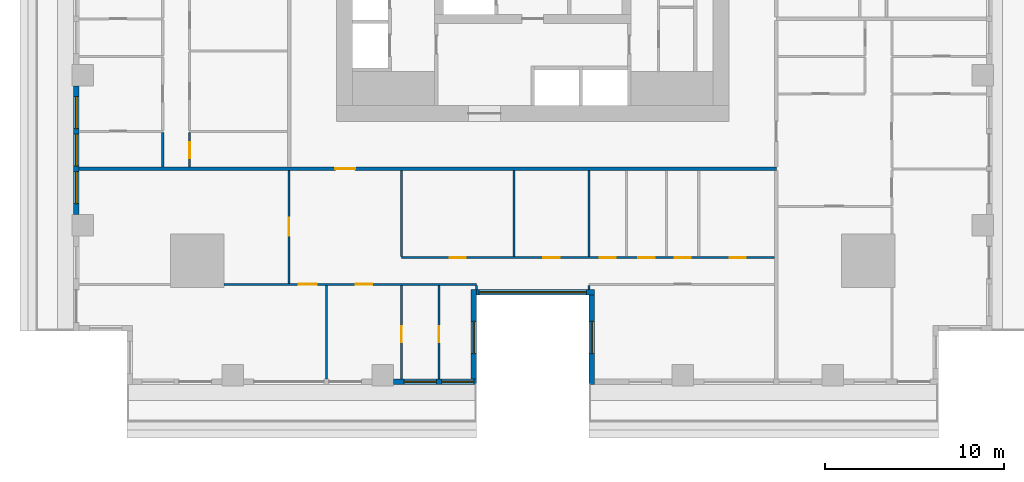
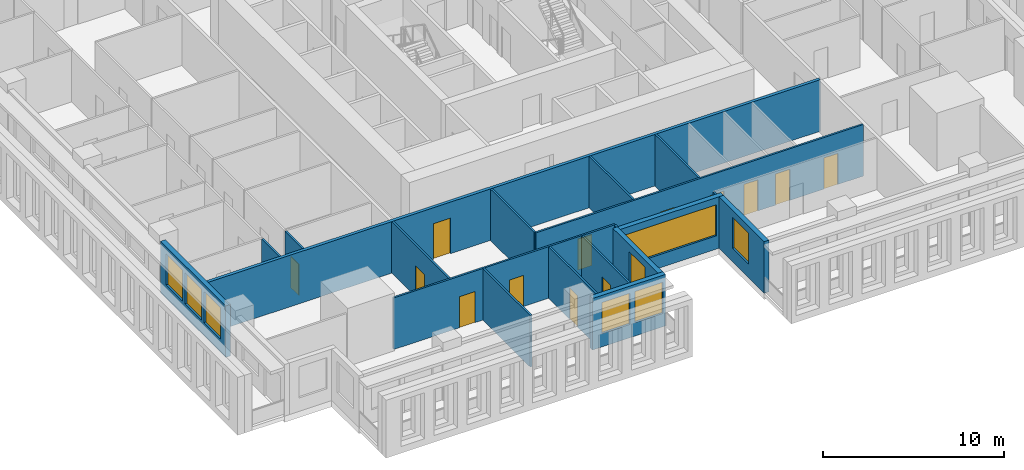
# One storey, part 2 of 15: 19 walls, 13 doors, 8 windows, 21 openings.
"""IFC4 building model written with IfcOpenShell, lengths in metres."""

from ifc_helpers import new_model, si_unit, direction, frame, frame_2d, origin, place, context, subcontext, project, spatial, rectangle, extrude, material, layer, layer_set, type_object, element, fill, save


model = new_model("IFC4")

# Units and contexts
model_context = context("Model", 3, precision=1e-05, world=origin(), true_north=direction((0.0, 1.0)))
body_context = subcontext(model_context, "Body", "Model", "MODEL_VIEW")
ifc_project = project(units=[si_unit("LENGTHUNIT", "METRE"), si_unit("AREAUNIT", "SQUARE_METRE"), si_unit("VOLUMEUNIT", "CUBIC_METRE"), si_unit("PLANEANGLEUNIT", "RADIAN"), si_unit("MASSUNIT", "GRAM", prefix="KILO")], contexts=[model_context])

# Site, building, storey
site_placement = place(None, origin())
site = spatial("IfcSite", under=ifc_project, at=site_placement, CompositionType="ELEMENT")
building_placement = place(site_placement, origin())
building = spatial("IfcBuilding", under=site, at=building_placement, Name="Khepri Terraces", CompositionType="ELEMENT")
storey_placement = place(building_placement, frame((0.0, 0.0, 30.89990234375)))
storey = spatial("IfcBuildingStorey", under=building, at=storey_placement, Name="L06", CompositionType="ELEMENT", Elevation=30.89990234375)

# Wall, opening, door
ifc_material_1 = material(Name="Fire-rated gypsum plasterboard partition, mineral wool")
ifc_layer_1 = layer(ifc_material_1, 0.199951171875, Name="Fire-rated gypsum plasterboard partition, mineral wool")
ifc_layer_set_1 = layer_set([ifc_layer_1], Name="Fire-rated gypsum plasterboard partition, mineral wool")
wall_type_1 = type_object("IfcWallType", Name="WL-CORR-200", PredefinedType="PARTITIONING", material=ifc_layer_set_1)
wall_1_placement = place(storey_placement, frame((-25.419921875, -13.64990234375, 0.0), z_axis=(0.0, 0.0, 1.0), x_axis=(1.0, 0.0, 0.0)))
wall_1 = element("IfcWall", 1, at=wall_1_placement, inside=storey, type_object=wall_type_1, Name="Partition P-022 L06", PredefinedType="PARTITIONING", context=body_context, shape_type="SweptSolid", body=[
    extrude(rectangle(XDim=39.06982421875, YDim=0.199951171875, at=frame_2d((19.534912109375, 0.0))), origin(), (0.0, 0.0, 1.0), 3.47998046875),
])
opening_1_placement = place(wall_1_placement, frame((14.3701171875, 0.0, 0.0)))
opening_1 = element("IfcOpeningElement", 2, at=opening_1_placement, cuts=wall_1, Name="Opening D1", PredefinedType="OPENING", context=body_context, shape_type="SweptSolid", body=[
    extrude(rectangle(XDim=1.10009765625, YDim=2.39990234375, at=frame_2d((0.550048828125, 1.199951171875))), frame((0.0, 0.10986328125, 0.0), z_axis=(0.0, -1.0, 0.0), x_axis=(1.0, 0.0, 0.0)), (0.0, 0.0, 1.0), 0.219970703125),
])
ifc_material_2 = material(Name="Solid-core timber door leaf, flat entrance door", Category="wood")
door_type_1 = type_object("IfcDoorType", Name="DR-ENT-1100", OperationType="NOTDEFINED", PredefinedType="DOOR", material=ifc_material_2)
door_1_placement = place(opening_1_placement, frame((1.10009765625, 0.0, 0.0), z_axis=(0.0, 0.0, 1.0), x_axis=(-1.0, 0.0, 0.0)))
door_1 = element("IfcDoor", 3, at=door_1_placement, inside=storey, type_object=door_type_1, Name="Flat A1 entrance door", OperationType="SINGLE_SWING_RIGHT", OverallHeight=2.39990234375, OverallWidth=1.10009765625, PredefinedType="DOOR", context=body_context, shape_type="SweptSolid", body=[
    extrude(rectangle(XDim=1.10009765625, YDim=2.39990234375, at=frame_2d((0.550048828125, 1.199951171875))), frame((0.0, 0.02490234375, 0.0), z_axis=(0.0, -1.0, 0.0), x_axis=(1.0, 0.0, 0.0)), (0.0, 0.0, 1.0), 0.050048828125),
])
fill(opening_1, door_1)

# Wall, openings, windows
ifc_material_3 = material(Name="Precast concrete C50/60 warm stone", Category="masonry")
ifc_layer_2 = layer(ifc_material_3, 0.300048828125, Name="Precast concrete C50/60 warm stone", Category="masonry")
ifc_layer_set_2 = layer_set([ifc_layer_2], Name="Precast concrete C50/60 warm stone")
wall_type_2 = type_object("IfcWallType", Name="WL-EXT-PRECAST-300", PredefinedType="STANDARD", material=ifc_layer_set_2)
wall_2_placement = place(storey_placement, frame((-25.570068359375, -9.0, 0.0), z_axis=(0.0, 0.0, 1.0), x_axis=(0.0, -1.0, 0.0)))
wall_2 = element("IfcWall", 4, at=wall_2_placement, inside=storey, type_object=wall_type_2, Name="External wall L06 W", PredefinedType="STANDARD", context=body_context, shape_type="SweptSolid", body=[
    extrude(rectangle(XDim=7.199951171875, YDim=0.300048828125, at=frame_2d((3.60009765625, 0.0))), origin(), (0.0, 0.0, 1.0), 3.47998046875),
])
opening_2_placement = place(wall_2_placement, frame((0.60009765625, 0.0, 0.89990234375)))
opening_2 = element("IfcOpeningElement", 5, at=opening_2_placement, cuts=wall_2, Name="Opening W1", PredefinedType="OPENING", context=body_context, shape_type="SweptSolid", body=[
    extrude(rectangle(XDim=1.800048828125, YDim=2.10009765625, at=frame_2d((0.89990234375, 1.050048828125))), frame((0.0, 0.16015625, 0.0), z_axis=(0.0, -1.0, 0.0), x_axis=(1.0, 0.0, 0.0)), (0.0, 0.0, 1.0), 0.320068359375),
])
opening_3_placement = place(wall_2_placement, frame((2.699951171875, 0.0, 0.89990234375)))
opening_3 = element("IfcOpeningElement", 6, at=opening_3_placement, cuts=wall_2, Name="Opening W1", PredefinedType="OPENING", context=body_context, shape_type="SweptSolid", body=[
    extrude(rectangle(XDim=1.800048828125, YDim=2.10009765625, at=frame_2d((0.89990234375, 1.050048828125))), frame((0.0, 0.16015625, 0.0), z_axis=(0.0, -1.0, 0.0), x_axis=(1.0, 0.0, 0.0)), (0.0, 0.0, 1.0), 0.320068359375),
])
opening_4_placement = place(wall_2_placement, frame((4.800048828125, 0.0, 0.89990234375)))
opening_4 = element("IfcOpeningElement", 7, at=opening_4_placement, cuts=wall_2, Name="Opening W1", PredefinedType="OPENING", context=body_context, shape_type="SweptSolid", body=[
    extrude(rectangle(XDim=1.800048828125, YDim=2.10009765625, at=frame_2d((0.89990234375, 1.050048828125))), frame((0.0, 0.16015625, 0.0), z_axis=(0.0, -1.0, 0.0), x_axis=(1.0, 0.0, 0.0)), (0.0, 0.0, 1.0), 0.320068359375),
])
ifc_material_4 = material(Name="Clear glass", Category="glass")
window_type_1 = type_object("IfcWindowType", Name="WIN-RES-1800x2100", PartitioningType="SINGLE_PANEL", PredefinedType="WINDOW", material=ifc_material_4)
window_1_placement = place(opening_2_placement, origin())
window_1 = element("IfcWindow", 8, at=window_1_placement, inside=storey, type_object=window_type_1, Name="Window L06 W", OverallHeight=2.10009765625, OverallWidth=1.800048828125, PartitioningType="SINGLE_PANEL", PredefinedType="WINDOW", context=body_context, shape_type="SweptSolid", body=[
    extrude(rectangle(XDim=1.800048828125, YDim=2.10009765625, at=frame_2d((0.89990234375, 1.050048828125))), frame((0.0, 0.030029296875, 0.0), z_axis=(0.0, -1.0, 0.0), x_axis=(1.0, 0.0, 0.0)), (0.0, 0.0, 1.0), 0.06005859375),
])
fill(opening_2, window_1)
window_2_placement = place(opening_3_placement, origin())
window_2 = element("IfcWindow", 9, at=window_2_placement, inside=storey, type_object=window_type_1, Name="Window L06 W", OverallHeight=2.10009765625, OverallWidth=1.800048828125, PartitioningType="SINGLE_PANEL", PredefinedType="WINDOW", context=body_context, shape_type="SweptSolid", body=[
    extrude(rectangle(XDim=1.800048828125, YDim=2.10009765625, at=frame_2d((0.89990234375, 1.050048828125))), frame((0.0, 0.030029296875, 0.0), z_axis=(0.0, -1.0, 0.0), x_axis=(1.0, 0.0, 0.0)), (0.0, 0.0, 1.0), 0.06005859375),
])
fill(opening_3, window_2)
window_3_placement = place(opening_4_placement, origin())
window_3 = element("IfcWindow", 10, at=window_3_placement, inside=storey, type_object=window_type_1, Name="Window L06 W", OverallHeight=2.10009765625, OverallWidth=1.800048828125, PartitioningType="SINGLE_PANEL", PredefinedType="WINDOW", context=body_context, shape_type="SweptSolid", body=[
    extrude(rectangle(XDim=1.800048828125, YDim=2.10009765625, at=frame_2d((0.89990234375, 1.050048828125))), frame((0.0, 0.030029296875, 0.0), z_axis=(0.0, -1.0, 0.0), x_axis=(1.0, 0.0, 0.0)), (0.0, 0.0, 1.0), 0.06005859375),
])
fill(opening_4, window_3)

wall_3_placement = place(storey_placement, frame((-7.800048828125, -25.570068359375, 0.0), z_axis=(0.0, 0.0, 1.0), x_axis=(1.0, 0.0, 0.0)))
wall_3 = element("IfcWall", 11, at=wall_3_placement, inside=storey, type_object=wall_type_2, Name="External wall L06 S", PredefinedType="STANDARD", context=body_context, shape_type="SweptSolid", body=[
    extrude(rectangle(XDim=4.650146484375, YDim=0.300048828125, at=frame_2d((2.3251953125, 0.0))), origin(), (0.0, 0.0, 1.0), 3.47998046875),
])
opening_5_placement = place(wall_3_placement, frame((0.60009765625, 0.0, 0.89990234375)))
opening_5 = element("IfcOpeningElement", 12, at=opening_5_placement, cuts=wall_3, Name="Opening W1", PredefinedType="OPENING", context=body_context, shape_type="SweptSolid", body=[
    extrude(rectangle(XDim=1.800048828125, YDim=2.10009765625, at=frame_2d((0.89990234375, 1.050048828125))), frame((0.0, 0.16015625, 0.0), z_axis=(0.0, -1.0, 0.0), x_axis=(1.0, 0.0, 0.0)), (0.0, 0.0, 1.0), 0.320068359375),
])
opening_6_placement = place(wall_3_placement, frame((2.699951171875, 0.0, 0.89990234375)))
opening_6 = element("IfcOpeningElement", 13, at=opening_6_placement, cuts=wall_3, Name="Opening W1", PredefinedType="OPENING", context=body_context, shape_type="SweptSolid", body=[
    extrude(rectangle(XDim=1.800048828125, YDim=2.10009765625, at=frame_2d((0.89990234375, 1.050048828125))), frame((0.0, 0.16015625, 0.0), z_axis=(0.0, -1.0, 0.0), x_axis=(1.0, 0.0, 0.0)), (0.0, 0.0, 1.0), 0.320068359375),
])
window_4_placement = place(opening_5_placement, origin())
window_4 = element("IfcWindow", 14, at=window_4_placement, inside=storey, type_object=window_type_1, Name="Window L06 S", OverallHeight=2.10009765625, OverallWidth=1.800048828125, PartitioningType="SINGLE_PANEL", PredefinedType="WINDOW", context=body_context, shape_type="SweptSolid", body=[
    extrude(rectangle(XDim=1.800048828125, YDim=2.10009765625, at=frame_2d((0.89990234375, 1.050048828125))), frame((0.0, 0.030029296875, 0.0), z_axis=(0.0, -1.0, 0.0), x_axis=(1.0, 0.0, 0.0)), (0.0, 0.0, 1.0), 0.06005859375),
])
fill(opening_5, window_4)
window_5_placement = place(opening_6_placement, origin())
window_5 = element("IfcWindow", 15, at=window_5_placement, inside=storey, type_object=window_type_1, Name="Window L06 S", OverallHeight=2.10009765625, OverallWidth=1.800048828125, PartitioningType="SINGLE_PANEL", PredefinedType="WINDOW", context=body_context, shape_type="SweptSolid", body=[
    extrude(rectangle(XDim=1.800048828125, YDim=2.10009765625, at=frame_2d((0.89990234375, 1.050048828125))), frame((0.0, 0.030029296875, 0.0), z_axis=(0.0, -1.0, 0.0), x_axis=(1.0, 0.0, 0.0)), (0.0, 0.0, 1.0), 0.06005859375),
])
fill(opening_6, window_5)

# Wall, opening, window
wall_4_placement = place(storey_placement, frame((-3.300048828125, -25.419921875, 0.0), z_axis=(0.0, 0.0, 1.0), x_axis=(0.0, 1.0, 0.0)))
wall_4 = element("IfcWall", 16, at=wall_4_placement, inside=storey, type_object=wall_type_2, Name="External wall L06 E", PredefinedType="STANDARD", context=body_context, shape_type="SweptSolid", body=[
    extrude(rectangle(XDim=5.0, YDim=0.300048828125, at=frame_2d((2.5, 0.0))), origin(), (0.0, 0.0, 1.0), 3.47998046875),
])
opening_7_placement = place(wall_4_placement, frame((1.419921875, 0.0, 0.89990234375)))
opening_7 = element("IfcOpeningElement", 17, at=opening_7_placement, cuts=wall_4, Name="Opening W1", PredefinedType="OPENING", context=body_context, shape_type="SweptSolid", body=[
    extrude(rectangle(XDim=1.800048828125, YDim=2.10009765625, at=frame_2d((0.89990234375, 1.050048828125))), frame((0.0, 0.16015625, 0.0), z_axis=(0.0, -1.0, 0.0), x_axis=(1.0, 0.0, 0.0)), (0.0, 0.0, 1.0), 0.320068359375),
])
window_6_placement = place(opening_7_placement, origin())
window_6 = element("IfcWindow", 18, at=window_6_placement, inside=storey, type_object=window_type_1, Name="Window L06 E", OverallHeight=2.10009765625, OverallWidth=1.800048828125, PartitioningType="SINGLE_PANEL", PredefinedType="WINDOW", context=body_context, shape_type="SweptSolid", body=[
    extrude(rectangle(XDim=1.800048828125, YDim=2.10009765625, at=frame_2d((0.89990234375, 1.050048828125))), frame((0.0, 0.030029296875, 0.0), z_axis=(0.0, -1.0, 0.0), x_axis=(1.0, 0.0, 0.0)), (0.0, 0.0, 1.0), 0.06005859375),
])
fill(opening_7, window_6)

wall_5_placement = place(storey_placement, frame((-3.14990234375, -20.570068359375, 0.0), z_axis=(0.0, 0.0, 1.0), x_axis=(1.0, 0.0, 0.0)))
wall_5 = element("IfcWall", 19, at=wall_5_placement, inside=storey, type_object=wall_type_2, Name="External wall L06 S", PredefinedType="STANDARD", context=body_context, shape_type="SweptSolid", body=[
    extrude(rectangle(XDim=6.599853515625, YDim=0.300048828125, at=frame_2d((3.2998046875, 0.0))), origin(), (0.0, 0.0, 1.0), 3.47998046875),
])
opening_8_placement = place(wall_5_placement, frame((0.14990234375, 0.0, 0.89990234375)))
opening_8 = element("IfcOpeningElement", 20, at=opening_8_placement, cuts=wall_5, Name="Opening W3", PredefinedType="OPENING", context=body_context, shape_type="SweptSolid", body=[
    extrude(rectangle(XDim=6.0, YDim=2.10009765625, at=frame_2d((3.0, 1.050048828125))), frame((0.0, 0.16015625, 0.0), z_axis=(0.0, -1.0, 0.0), x_axis=(1.0, 0.0, 0.0)), (0.0, 0.0, 1.0), 0.320068359375),
])
window_type_2 = type_object("IfcWindowType", Name="WIN-RES-6000x2100", PartitioningType="SINGLE_PANEL", PredefinedType="WINDOW", material=ifc_material_4)
window_7_placement = place(opening_8_placement, origin())
window_7 = element("IfcWindow", 21, at=window_7_placement, inside=storey, type_object=window_type_2, Name="Window L06 S", OverallHeight=2.10009765625, OverallWidth=6.0, PartitioningType="SINGLE_PANEL", PredefinedType="WINDOW", context=body_context, shape_type="SweptSolid", body=[
    extrude(rectangle(XDim=6.0, YDim=2.10009765625, at=frame_2d((3.0, 1.050048828125))), frame((0.0, 0.030029296875, 0.0), z_axis=(0.0, -1.0, 0.0), x_axis=(1.0, 0.0, 0.0)), (0.0, 0.0, 1.0), 0.06005859375),
])
fill(opening_8, window_7)

wall_6_placement = place(storey_placement, frame((3.300048828125, -20.719970703125, 0.0), z_axis=(0.0, 0.0, 1.0), x_axis=(0.0, -1.0, 0.0)))
wall_6 = element("IfcWall", 22, at=wall_6_placement, inside=storey, type_object=wall_type_2, Name="External wall L06 W", PredefinedType="STANDARD", context=body_context, shape_type="SweptSolid", body=[
    extrude(rectangle(XDim=5.0, YDim=0.300048828125, at=frame_2d((2.5, 0.0))), origin(), (0.0, 0.0, 1.0), 3.47998046875),
])
opening_9_placement = place(wall_6_placement, frame((1.47998046875, 0.0, 0.89990234375)))
opening_9 = element("IfcOpeningElement", 23, at=opening_9_placement, cuts=wall_6, Name="Opening W1", PredefinedType="OPENING", context=body_context, shape_type="SweptSolid", body=[
    extrude(rectangle(XDim=1.800048828125, YDim=2.10009765625, at=frame_2d((0.89990234375, 1.050048828125))), frame((0.0, 0.16015625, 0.0), z_axis=(0.0, -1.0, 0.0), x_axis=(1.0, 0.0, 0.0)), (0.0, 0.0, 1.0), 0.320068359375),
])
window_8_placement = place(opening_9_placement, origin())
window_8 = element("IfcWindow", 24, at=window_8_placement, inside=storey, type_object=window_type_1, Name="Window L06 W", OverallHeight=2.10009765625, OverallWidth=1.800048828125, PartitioningType="SINGLE_PANEL", PredefinedType="WINDOW", context=body_context, shape_type="SweptSolid", body=[
    extrude(rectangle(XDim=1.800048828125, YDim=2.10009765625, at=frame_2d((0.89990234375, 1.050048828125))), frame((0.0, 0.030029296875, 0.0), z_axis=(0.0, -1.0, 0.0), x_axis=(1.0, 0.0, 0.0)), (0.0, 0.0, 1.0), 0.06005859375),
])
fill(opening_9, window_8)

# Wall
ifc_material_5 = material(Name="Gypsum plasterboard partition")
ifc_layer_3 = layer(ifc_material_5, 0.1201171875, Name="Gypsum plasterboard partition")
ifc_layer_set_3 = layer_set([ifc_layer_3], Name="Gypsum plasterboard partition")
wall_type_3 = type_object("IfcWallType", Name="WL-PART-120", PredefinedType="PARTITIONING", material=ifc_layer_set_3)
wall_7_placement = place(storey_placement, frame((-11.550048828125, -25.419921875, 0.0), z_axis=(0.0, 0.0, 1.0), x_axis=(0.0, 1.0, 0.0)))
element("IfcWall", 25, at=wall_7_placement, inside=storey, type_object=wall_type_3, Name="Partition P-001 L06", PredefinedType="PARTITIONING", context=body_context, shape_type="SweptSolid", body=[
    extrude(rectangle(XDim=5.239990234375, YDim=0.1201171875, at=frame_2d((2.6201171875, 0.0))), origin(), (0.0, 0.0, 1.0), 3.47998046875),
])

# Wall, opening, door
wall_8_placement = place(storey_placement, frame((-7.35009765625, -25.419921875, 0.0), z_axis=(0.0, 0.0, 1.0), x_axis=(0.0, 1.0, 0.0)))
wall_8 = element("IfcWall", 26, at=wall_8_placement, inside=storey, type_object=wall_type_3, Name="Partition P-002 L06", PredefinedType="PARTITIONING", context=body_context, shape_type="SweptSolid", body=[
    extrude(rectangle(XDim=5.239990234375, YDim=0.1201171875, at=frame_2d((2.6201171875, 0.0))), origin(), (0.0, 0.0, 1.0), 3.47998046875),
])
opening_10_placement = place(wall_8_placement, frame((2.050048828125, 0.0, 0.0)))
opening_10 = element("IfcOpeningElement", 27, at=opening_10_placement, cuts=wall_8, Name="Opening D3", PredefinedType="OPENING", context=body_context, shape_type="SweptSolid", body=[
    extrude(rectangle(XDim=0.89990234375, YDim=2.10009765625, at=frame_2d((0.449951171875, 1.050048828125))), frame((0.0, 0.070068359375, 0.0), z_axis=(0.0, -1.0, 0.0), x_axis=(1.0, 0.0, 0.0)), (0.0, 0.0, 1.0), 0.14013671875),
])
ifc_material_6 = material(Name="Timber door leaf", Category="wood")
door_type_2 = type_object("IfcDoorType", Name="DR-INT-900", OperationType="NOTDEFINED", PredefinedType="DOOR", material=ifc_material_6)
door_2_placement = place(opening_10_placement, frame((0.89990234375, 0.0, 0.0), z_axis=(0.0, 0.0, 1.0), x_axis=(-1.0, 0.0, 0.0)))
door_2 = element("IfcDoor", 28, at=door_2_placement, inside=storey, type_object=door_type_2, Name="Door Dressing Room", OperationType="SINGLE_SWING_RIGHT", OverallHeight=2.10009765625, OverallWidth=0.89990234375, PredefinedType="DOOR", context=body_context, shape_type="SweptSolid", body=[
    extrude(rectangle(XDim=0.89990234375, YDim=2.10009765625, at=frame_2d((0.449951171875, 1.050048828125))), frame((0.0, 0.02490234375, 0.0), z_axis=(0.0, -1.0, 0.0), x_axis=(1.0, 0.0, 0.0)), (0.0, 0.0, 1.0), 0.050048828125),
])
fill(opening_10, door_2)

wall_9_placement = place(storey_placement, frame((-5.25, -25.419921875, 0.0), z_axis=(0.0, 0.0, 1.0), x_axis=(0.0, 1.0, 0.0)))
wall_9 = element("IfcWall", 29, at=wall_9_placement, inside=storey, type_object=wall_type_3, Name="Partition P-003 L06", PredefinedType="PARTITIONING", context=body_context, shape_type="SweptSolid", body=[
    extrude(rectangle(XDim=5.239990234375, YDim=0.1201171875, at=frame_2d((2.6201171875, 0.0))), origin(), (0.0, 0.0, 1.0), 3.47998046875),
])
opening_11_placement = place(wall_9_placement, frame((2.050048828125, 0.0, 0.0)))
opening_11 = element("IfcOpeningElement", 30, at=opening_11_placement, cuts=wall_9, Name="Opening D4", PredefinedType="OPENING", context=body_context, shape_type="SweptSolid", body=[
    extrude(rectangle(XDim=0.89990234375, YDim=2.10009765625, at=frame_2d((0.449951171875, 1.050048828125))), frame((0.0, 0.070068359375, 0.0), z_axis=(0.0, -1.0, 0.0), x_axis=(1.0, 0.0, 0.0)), (0.0, 0.0, 1.0), 0.14013671875),
])
ifc_material_7 = material(Name="Timber door leaf, moisture resistant", Category="wood")
door_type_3 = type_object("IfcDoorType", Name="DR-WET-900", OperationType="NOTDEFINED", PredefinedType="DOOR", material=ifc_material_7)
door_3_placement = place(opening_11_placement, frame((0.89990234375, 0.0, 0.0), z_axis=(0.0, 0.0, 1.0), x_axis=(-1.0, 0.0, 0.0)))
door_3 = element("IfcDoor", 31, at=door_3_placement, inside=storey, type_object=door_type_3, Name="Door Bathroom", OperationType="SINGLE_SWING_RIGHT", OverallHeight=2.10009765625, OverallWidth=0.89990234375, PredefinedType="DOOR", context=body_context, shape_type="SweptSolid", body=[
    extrude(rectangle(XDim=0.89990234375, YDim=2.10009765625, at=frame_2d((0.449951171875, 1.050048828125))), frame((0.0, 0.02490234375, 0.0), z_axis=(0.0, -1.0, 0.0), x_axis=(1.0, 0.0, 0.0)), (0.0, 0.0, 1.0), 0.050048828125),
])
fill(opening_11, door_3)

# Walls
for number, where, z_axis, x_axis, name in (
    (32, (-3.14990234375, -20.419921875, 0.0), (0.0, 0.0, 1.0), (0.0, 1.0, 0.0), "Partition P-006 L06"),
    (33, (3.14990234375, -20.419921875, 0.0), (0.0, 0.0, 1.0), (0.0, 1.0, 0.0), "Partition P-007 L06"),
):
    element("IfcWall", number, at=place(storey_placement, frame(where, z_axis=z_axis, x_axis=x_axis)), inside=storey, type_object=wall_type_3, Name=name, PredefinedType="PARTITIONING", context=body_context, shape_type="SweptSolid", body=[
        extrude(rectangle(XDim=0.239990234375, YDim=0.1201171875, at=frame_2d((0.1201171875, 0.0))), origin(), (0.0, 0.0, 1.0), 3.47998046875),
    ])

# Wall, openings, doors
wall_10_placement = place(storey_placement, frame((-17.300048828125, -20.1201171875, 0.0), z_axis=(0.0, 0.0, 1.0), x_axis=(1.0, 0.0, 0.0)))
wall_10 = element("IfcWall", 34, at=wall_10_placement, inside=storey, type_object=wall_type_3, Name="Partition P-009 L06", PredefinedType="PARTITIONING", context=body_context, shape_type="SweptSolid", body=[
    extrude(rectangle(XDim=14.150146484375, YDim=0.1201171875, at=frame_2d((7.0751953125, 0.0))), origin(), (0.0, 0.0, 1.0), 3.47998046875),
])
opening_12_placement = place(wall_10_placement, frame((4.199951171875, 0.0, 0.0)))
opening_12 = element("IfcOpeningElement", 35, at=opening_12_placement, cuts=wall_10, Name="Opening D2", PredefinedType="OPENING", context=body_context, shape_type="SweptSolid", body=[
    extrude(rectangle(XDim=1.0, YDim=2.10009765625, at=frame_2d((0.5, 1.050048828125))), frame((0.0, 0.070068359375, 0.0), z_axis=(0.0, -1.0, 0.0), x_axis=(1.0, 0.0, 0.0)), (0.0, 0.0, 1.0), 0.14013671875),
])
opening_13_placement = place(wall_10_placement, frame((7.39990234375, 0.0, 0.0)))
opening_13 = element("IfcOpeningElement", 36, at=opening_13_placement, cuts=wall_10, Name="Opening D3", PredefinedType="OPENING", context=body_context, shape_type="SweptSolid", body=[
    extrude(rectangle(XDim=0.89990234375, YDim=2.10009765625, at=frame_2d((0.449951171875, 1.050048828125))), frame((0.0, 0.070068359375, 0.0), z_axis=(0.0, -1.0, 0.0), x_axis=(1.0, 0.0, 0.0)), (0.0, 0.0, 1.0), 0.14013671875),
])
ifc_material_8 = material(Name="Timber door leaf, living room door", Category="wood")
door_type_4 = type_object("IfcDoorType", Name="DR-INT-1000", OperationType="NOTDEFINED", PredefinedType="DOOR", material=ifc_material_8)
door_4_placement = place(opening_12_placement, frame((1.0, 0.0, 0.0), z_axis=(0.0, 0.0, 1.0), x_axis=(-1.0, 0.0, 0.0)))
door_4 = element("IfcDoor", 37, at=door_4_placement, inside=storey, type_object=door_type_4, Name="Door Living Room", OperationType="SINGLE_SWING_RIGHT", OverallHeight=2.10009765625, OverallWidth=1.0, PredefinedType="DOOR", context=body_context, shape_type="SweptSolid", body=[
    extrude(rectangle(XDim=1.0, YDim=2.10009765625, at=frame_2d((0.5, 1.050048828125))), frame((0.0, 0.02490234375, 0.0), z_axis=(0.0, -1.0, 0.0), x_axis=(1.0, 0.0, 0.0)), (0.0, 0.0, 1.0), 0.050048828125),
])
fill(opening_12, door_4)
door_5_placement = place(opening_13_placement, frame((0.89990234375, 0.0, 0.0), z_axis=(0.0, 0.0, 1.0), x_axis=(-1.0, 0.0, 0.0)))
door_5 = element("IfcDoor", 38, at=door_5_placement, inside=storey, type_object=door_type_2, Name="Door Master Bedroom", OperationType="SINGLE_SWING_LEFT", OverallHeight=2.10009765625, OverallWidth=0.89990234375, PredefinedType="DOOR", context=body_context, shape_type="SweptSolid", body=[
    extrude(rectangle(XDim=0.89990234375, YDim=2.10009765625, at=frame_2d((0.449951171875, 1.050048828125))), frame((0.0, 0.02490234375, 0.0), z_axis=(0.0, -1.0, 0.0), x_axis=(1.0, 0.0, 0.0)), (0.0, 0.0, 1.0), 0.050048828125),
])
fill(opening_13, door_5)

# Wall, opening, door
wall_11_placement = place(storey_placement, frame((-13.64990234375, -20.06005859375, 0.0), z_axis=(0.0, 0.0, 1.0), x_axis=(0.0, 1.0, 0.0)))
wall_11 = element("IfcWall", 39, at=wall_11_placement, inside=storey, type_object=wall_type_3, Name="Partition P-011 L06", PredefinedType="PARTITIONING", context=body_context, shape_type="SweptSolid", body=[
    extrude(rectangle(XDim=6.31005859375, YDim=0.1201171875, at=frame_2d((3.155029296875, 0.0))), origin(), (0.0, 0.0, 1.0), 3.47998046875),
])
opening_14_placement = place(wall_11_placement, frame((2.675048828125, 0.0, 0.0)))
opening_14 = element("IfcOpeningElement", 40, at=opening_14_placement, cuts=wall_11, Name="Opening D2", PredefinedType="OPENING", context=body_context, shape_type="SweptSolid", body=[
    extrude(rectangle(XDim=1.0, YDim=2.10009765625, at=frame_2d((0.5, 1.050048828125))), frame((0.0, 0.070068359375, 0.0), z_axis=(0.0, -1.0, 0.0), x_axis=(1.0, 0.0, 0.0)), (0.0, 0.0, 1.0), 0.14013671875),
])
door_6_placement = place(opening_14_placement, origin())
door_6 = element("IfcDoor", 41, at=door_6_placement, inside=storey, type_object=door_type_4, Name="Door Family Room", OperationType="SINGLE_SWING_RIGHT", OverallHeight=2.10009765625, OverallWidth=1.0, PredefinedType="DOOR", context=body_context, shape_type="SweptSolid", body=[
    extrude(rectangle(XDim=1.0, YDim=2.10009765625, at=frame_2d((0.5, 1.050048828125))), frame((0.0, 0.02490234375, 0.0), z_axis=(0.0, -1.0, 0.0), x_axis=(1.0, 0.0, 0.0)), (0.0, 0.0, 1.0), 0.050048828125),
])
fill(opening_14, door_6)

# Wall, openings, doors
wall_12_placement = place(storey_placement, frame((-7.35009765625, -18.6201171875, 0.0), z_axis=(0.0, 0.0, 1.0), x_axis=(1.0, 0.0, 0.0)))
wall_12 = element("IfcWall", 42, at=wall_12_placement, inside=storey, type_object=wall_type_3, Name="Partition P-012 L06", PredefinedType="PARTITIONING", context=body_context, shape_type="SweptSolid", body=[
    extrude(rectangle(XDim=20.900146484375, YDim=0.1201171875, at=frame_2d((10.4501953125, 0.0))), origin(), (0.0, 0.0, 1.0), 3.47998046875),
])
opening_15_placement = place(wall_12_placement, frame((2.699951171875, 0.0, 0.0)))
opening_15 = element("IfcOpeningElement", 43, at=opening_15_placement, cuts=wall_12, Name="Opening D3", PredefinedType="OPENING", context=body_context, shape_type="SweptSolid", body=[
    extrude(rectangle(XDim=0.89990234375, YDim=2.10009765625, at=frame_2d((0.449951171875, 1.050048828125))), frame((0.0, 0.070068359375, 0.0), z_axis=(0.0, -1.0, 0.0), x_axis=(1.0, 0.0, 0.0)), (0.0, 0.0, 1.0), 0.14013671875),
])
opening_16_placement = place(wall_12_placement, frame((7.949951171875, 0.0, 0.0)))
opening_16 = element("IfcOpeningElement", 44, at=opening_16_placement, cuts=wall_12, Name="Opening D3", PredefinedType="OPENING", context=body_context, shape_type="SweptSolid", body=[
    extrude(rectangle(XDim=0.89990234375, YDim=2.10009765625, at=frame_2d((0.449951171875, 1.050048828125))), frame((0.0, 0.070068359375, 0.0), z_axis=(0.0, -1.0, 0.0), x_axis=(1.0, 0.0, 0.0)), (0.0, 0.0, 1.0), 0.14013671875),
])
opening_17_placement = place(wall_12_placement, frame((11.10009765625, 0.0, 0.0)))
opening_17 = element("IfcOpeningElement", 45, at=opening_17_placement, cuts=wall_12, Name="Opening D3", PredefinedType="OPENING", context=body_context, shape_type="SweptSolid", body=[
    extrude(rectangle(XDim=0.89990234375, YDim=2.10009765625, at=frame_2d((0.449951171875, 1.050048828125))), frame((0.0, 0.070068359375, 0.0), z_axis=(0.0, -1.0, 0.0), x_axis=(1.0, 0.0, 0.0)), (0.0, 0.0, 1.0), 0.14013671875),
])
opening_18_placement = place(wall_12_placement, frame((13.27490234375, 0.0, 0.0)))
opening_18 = element("IfcOpeningElement", 46, at=opening_18_placement, cuts=wall_12, Name="Opening D4", PredefinedType="OPENING", context=body_context, shape_type="SweptSolid", body=[
    extrude(rectangle(XDim=0.89990234375, YDim=2.10009765625, at=frame_2d((0.449951171875, 1.050048828125))), frame((0.0, 0.070068359375, 0.0), z_axis=(0.0, -1.0, 0.0), x_axis=(1.0, 0.0, 0.0)), (0.0, 0.0, 1.0), 0.14013671875),
])
opening_19_placement = place(wall_12_placement, frame((15.300048828125, 0.0, 0.0)))
opening_19 = element("IfcOpeningElement", 47, at=opening_19_placement, cuts=wall_12, Name="Opening D4", PredefinedType="OPENING", context=body_context, shape_type="SweptSolid", body=[
    extrude(rectangle(XDim=0.89990234375, YDim=2.10009765625, at=frame_2d((0.449951171875, 1.050048828125))), frame((0.0, 0.070068359375, 0.0), z_axis=(0.0, -1.0, 0.0), x_axis=(1.0, 0.0, 0.0)), (0.0, 0.0, 1.0), 0.14013671875),
])
opening_20_placement = place(wall_12_placement, frame((18.375, 0.0, 0.0)))
opening_20 = element("IfcOpeningElement", 48, at=opening_20_placement, cuts=wall_12, Name="Opening D3", PredefinedType="OPENING", context=body_context, shape_type="SweptSolid", body=[
    extrude(rectangle(XDim=0.89990234375, YDim=2.10009765625, at=frame_2d((0.449951171875, 1.050048828125))), frame((0.0, 0.070068359375, 0.0), z_axis=(0.0, -1.0, 0.0), x_axis=(1.0, 0.0, 0.0)), (0.0, 0.0, 1.0), 0.14013671875),
])
door_7_placement = place(opening_15_placement, origin())
door_7 = element("IfcDoor", 49, at=door_7_placement, inside=storey, type_object=door_type_2, Name="Door Kitchen", OperationType="SINGLE_SWING_LEFT", OverallHeight=2.10009765625, OverallWidth=0.89990234375, PredefinedType="DOOR", context=body_context, shape_type="SweptSolid", body=[
    extrude(rectangle(XDim=0.89990234375, YDim=2.10009765625, at=frame_2d((0.449951171875, 1.050048828125))), frame((0.0, 0.02490234375, 0.0), z_axis=(0.0, -1.0, 0.0), x_axis=(1.0, 0.0, 0.0)), (0.0, 0.0, 1.0), 0.050048828125),
])
fill(opening_15, door_7)
door_8_placement = place(opening_16_placement, origin())
door_8 = element("IfcDoor", 50, at=door_8_placement, inside=storey, type_object=door_type_2, Name="Door Service Store", OperationType="SINGLE_SWING_LEFT", OverallHeight=2.10009765625, OverallWidth=0.89990234375, PredefinedType="DOOR", context=body_context, shape_type="SweptSolid", body=[
    extrude(rectangle(XDim=0.89990234375, YDim=2.10009765625, at=frame_2d((0.449951171875, 1.050048828125))), frame((0.0, 0.02490234375, 0.0), z_axis=(0.0, -1.0, 0.0), x_axis=(1.0, 0.0, 0.0)), (0.0, 0.0, 1.0), 0.050048828125),
])
fill(opening_16, door_8)
door_9_placement = place(opening_17_placement, origin())
door_9 = element("IfcDoor", 51, at=door_9_placement, inside=storey, type_object=door_type_2, Name="Door Utility Room", OperationType="SINGLE_SWING_RIGHT", OverallHeight=2.10009765625, OverallWidth=0.89990234375, PredefinedType="DOOR", context=body_context, shape_type="SweptSolid", body=[
    extrude(rectangle(XDim=0.89990234375, YDim=2.10009765625, at=frame_2d((0.449951171875, 1.050048828125))), frame((0.0, 0.02490234375, 0.0), z_axis=(0.0, -1.0, 0.0), x_axis=(1.0, 0.0, 0.0)), (0.0, 0.0, 1.0), 0.050048828125),
])
fill(opening_17, door_9)
door_10_placement = place(opening_20_placement, origin())
door_10 = element("IfcDoor", 52, at=door_10_placement, inside=storey, type_object=door_type_2, Name="Door Staff Bedroom", OperationType="SINGLE_SWING_RIGHT", OverallHeight=2.10009765625, OverallWidth=0.89990234375, PredefinedType="DOOR", context=body_context, shape_type="SweptSolid", body=[
    extrude(rectangle(XDim=0.89990234375, YDim=2.10009765625, at=frame_2d((0.449951171875, 1.050048828125))), frame((0.0, 0.02490234375, 0.0), z_axis=(0.0, -1.0, 0.0), x_axis=(1.0, 0.0, 0.0)), (0.0, 0.0, 1.0), 0.050048828125),
])
fill(opening_20, door_10)
door_11_placement = place(opening_18_placement, origin())
door_11 = element("IfcDoor", 53, at=door_11_placement, inside=storey, type_object=door_type_3, Name="Door Powder Room", OperationType="SINGLE_SWING_RIGHT", OverallHeight=2.10009765625, OverallWidth=0.89990234375, PredefinedType="DOOR", context=body_context, shape_type="SweptSolid", body=[
    extrude(rectangle(XDim=0.89990234375, YDim=2.10009765625, at=frame_2d((0.449951171875, 1.050048828125))), frame((0.0, 0.02490234375, 0.0), z_axis=(0.0, -1.0, 0.0), x_axis=(1.0, 0.0, 0.0)), (0.0, 0.0, 1.0), 0.050048828125),
])
fill(opening_18, door_11)
door_12_placement = place(opening_19_placement, origin())
door_12 = element("IfcDoor", 54, at=door_12_placement, inside=storey, type_object=door_type_3, Name="Door Guest Bathroom", OperationType="SINGLE_SWING_RIGHT", OverallHeight=2.10009765625, OverallWidth=0.89990234375, PredefinedType="DOOR", context=body_context, shape_type="SweptSolid", body=[
    extrude(rectangle(XDim=0.89990234375, YDim=2.10009765625, at=frame_2d((0.449951171875, 1.050048828125))), frame((0.0, 0.02490234375, 0.0), z_axis=(0.0, -1.0, 0.0), x_axis=(1.0, 0.0, 0.0)), (0.0, 0.0, 1.0), 0.050048828125),
])
fill(opening_19, door_12)

# Walls
for number, where, z_axis, x_axis, name in (
    (55, (-7.35009765625, -18.56005859375, 0.0), (0.0, 0.0, 1.0), (0.0, 1.0, 0.0), "Partition P-013 L06"),
    (56, (-1.050048828125, -18.56005859375, 0.0), (0.0, 0.0, 1.0), (0.0, 1.0, 0.0), "Partition P-014 L06"),
    (57, (3.14990234375, -18.56005859375, 0.0), (0.0, 0.0, 1.0), (0.0, 1.0, 0.0), "Partition P-015 L06"),
):
    element("IfcWall", number, at=place(storey_placement, frame(where, z_axis=z_axis, x_axis=x_axis)), inside=storey, type_object=wall_type_3, Name=name, PredefinedType="PARTITIONING", context=body_context, shape_type="SweptSolid", body=[
        extrude(rectangle(XDim=4.81005859375, YDim=0.1201171875, at=frame_2d((2.405029296875, 0.0))), origin(), (0.0, 0.0, 1.0), 3.47998046875),
    ])
wall_13_placement = place(storey_placement, frame((-20.719970703125, -13.550048828125, 0.0), z_axis=(0.0, 0.0, 1.0), x_axis=(0.0, 1.0, 0.0)))
element("IfcWall", 58, at=wall_13_placement, inside=storey, type_object=wall_type_3, Name="Partition P-025 L06", PredefinedType="PARTITIONING", context=body_context, shape_type="SweptSolid", body=[
    extrude(rectangle(XDim=1.93994140625, YDim=0.1201171875, at=frame_2d((0.969970703125, 0.0))), origin(), (0.0, 0.0, 1.0), 3.47998046875),
])

# Wall, opening, door
wall_14_placement = place(storey_placement, frame((-19.219970703125, -13.550048828125, 0.0), z_axis=(0.0, 0.0, 1.0), x_axis=(0.0, 1.0, 0.0)))
wall_14 = element("IfcWall", 59, at=wall_14_placement, inside=storey, type_object=wall_type_3, Name="Partition P-026 L06", PredefinedType="PARTITIONING", context=body_context, shape_type="SweptSolid", body=[
    extrude(rectangle(XDim=1.93994140625, YDim=0.1201171875, at=frame_2d((0.969970703125, 0.0))), origin(), (0.0, 0.0, 1.0), 3.47998046875),
])
opening_21_placement = place(wall_14_placement, frame((0.5, 0.0, 0.0)))
opening_21 = element("IfcOpeningElement", 60, at=opening_21_placement, cuts=wall_14, Name="Opening D3", PredefinedType="OPENING", context=body_context, shape_type="SweptSolid", body=[
    extrude(rectangle(XDim=0.89990234375, YDim=2.10009765625, at=frame_2d((0.449951171875, 1.050048828125))), frame((0.0, 0.070068359375, 0.0), z_axis=(0.0, -1.0, 0.0), x_axis=(1.0, 0.0, 0.0)), (0.0, 0.0, 1.0), 0.14013671875),
])
door_13_placement = place(opening_21_placement, frame((0.89990234375, 0.0, 0.0), z_axis=(0.0, 0.0, 1.0), x_axis=(-1.0, 0.0, 0.0)))
door_13 = element("IfcDoor", 61, at=door_13_placement, inside=storey, type_object=door_type_2, Name="Door Utility Room", OperationType="SINGLE_SWING_RIGHT", OverallHeight=2.10009765625, OverallWidth=0.89990234375, PredefinedType="DOOR", context=body_context, shape_type="SweptSolid", body=[
    extrude(rectangle(XDim=0.89990234375, YDim=2.10009765625, at=frame_2d((0.449951171875, 1.050048828125))), frame((0.0, 0.02490234375, 0.0), z_axis=(0.0, -1.0, 0.0), x_axis=(1.0, 0.0, 0.0)), (0.0, 0.0, 1.0), 0.050048828125),
])
fill(opening_21, door_13)

save(model, "model.ifc")
